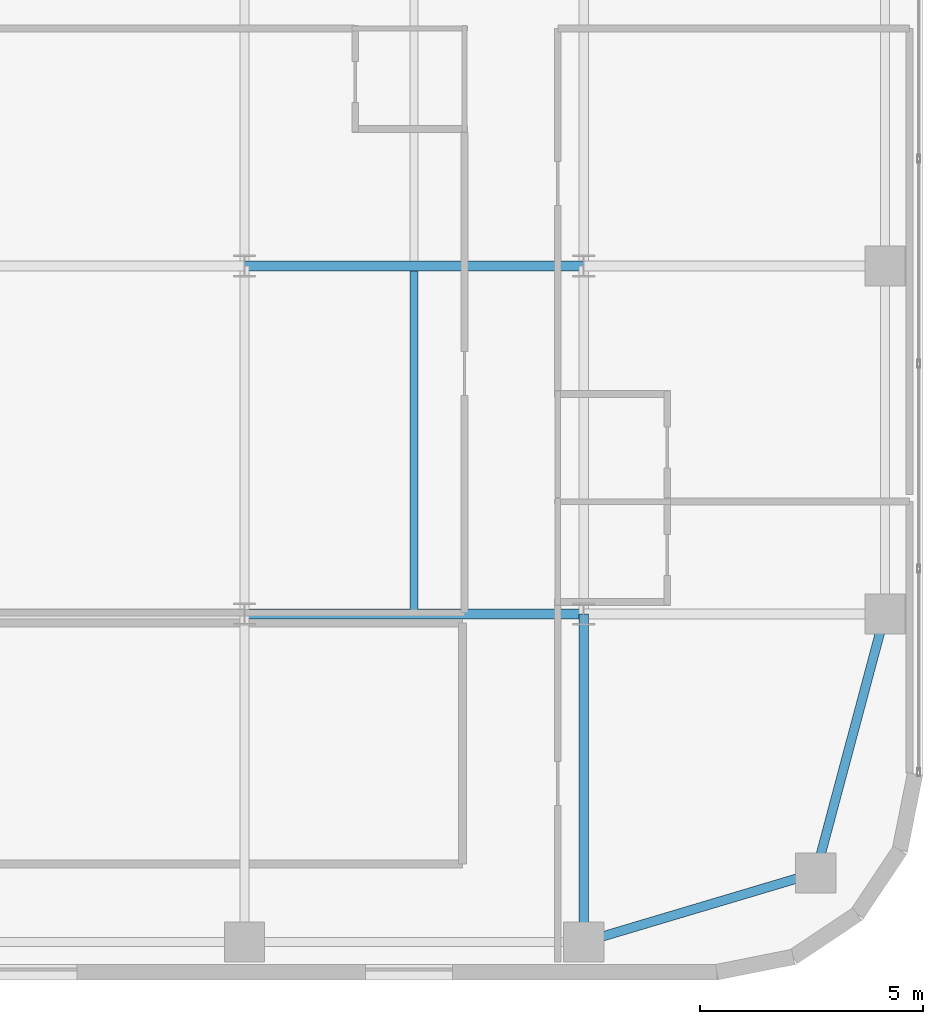
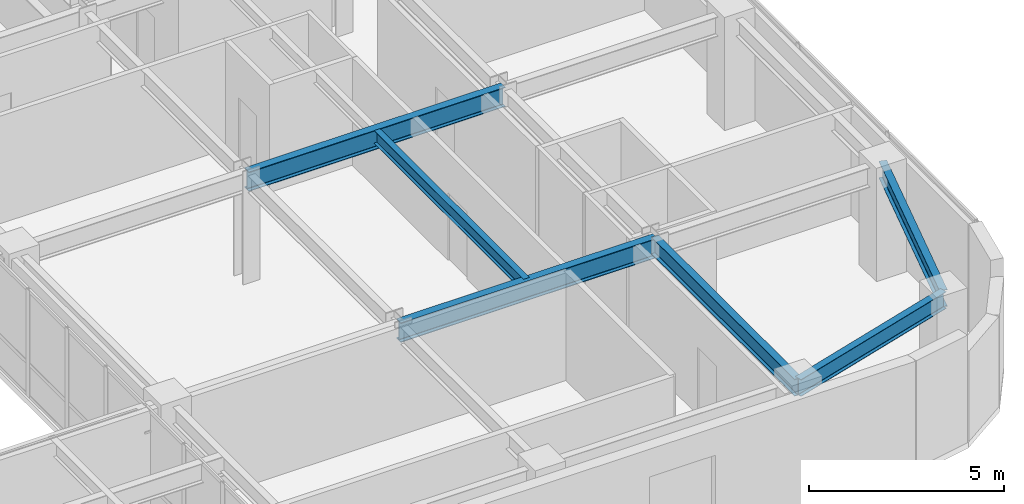
# One storey, part 8 of 25: 6 beams.
"""IFC4 building model written with IfcOpenShell, lengths in metres."""

from ifc_helpers import new_model, si_unit, direction, frame, origin, origin_2d, place, context, subcontext, project, spatial, i_section, extrude, source, transform, mapped, material, material_profile, profile_set, type_object, type_shapes, element, save


model = new_model("IFC4")

# Units and contexts
model_context = context("Model", 3, precision=1e-05, world=origin(), true_north=direction((0.0, 1.0)))
body_context = subcontext(model_context, "Body", "Model", "MODEL_VIEW")
ifc_project = project(units=[si_unit("LENGTHUNIT", "METRE"), si_unit("AREAUNIT", "SQUARE_METRE"), si_unit("VOLUMEUNIT", "CUBIC_METRE"), si_unit("PLANEANGLEUNIT", "RADIAN"), si_unit("MASSUNIT", "GRAM", prefix="KILO")], contexts=[model_context])

# Site, building, storey
site_placement = place(None, origin())
site = spatial("IfcSite", under=ifc_project, at=site_placement, CompositionType="ELEMENT")
building_placement = place(site_placement, origin())
building = spatial("IfcBuilding", under=site, at=building_placement, Name="Tolvann Quenvar Hotel", CompositionType="ELEMENT")
storey_placement = place(building_placement, frame((0.0, 0.0, 122.199951171875)))
storey = spatial("IfcBuildingStorey", under=building, at=storey_placement, Name="L31", CompositionType="ELEMENT", Elevation=122.199951171875)

# Beams
ifc_material = material(Name="Steel Grade 350", Category="steel")
ifc_material_profile_1 = material_profile(ifc_material, i_section(OverallWidth=0.208984375, OverallDepth=0.528076171875, WebThickness=0.009521484375, FlangeThickness=0.01318359375, FilletRadius=0.013916015625, at=origin_2d()), Name="530UB82")
ifc_profile_set_1 = profile_set([ifc_material_profile_1], Name="Steel Grade 350")
beam_type_1 = type_object("IfcBeamType", Name="BM_SPAND_530UB82", PredefinedType="SPANDREL", material=ifc_profile_set_1)
shared_shape_1 = source(origin(), body_context, "Body", "SweptSolid", [
    extrude(i_section(OverallWidth=0.208984375, OverallDepth=0.528076171875, WebThickness=0.009521484375, FlangeThickness=0.01318359375, FilletRadius=0.013916015625, at=origin_2d()), origin(), (0.0, 0.0, 1.0), 5.42626953125),
])
beam_1_placement = place(storey_placement, frame((49.39990234375, 0.85009765625, 3.10595703125), z_axis=(0.958344815522, 0.285613750654, 0.0), x_axis=(-0.285613750654, 0.958344815522, 0.0)))
element("IfcBeam", 1, at=beam_1_placement, inside=storey, type_object=beam_type_1, Name="BM-L31-EW-2-I2-J2", PredefinedType="SPANDREL", context=body_context, shape_type="MappedRepresentation", body=[
    mapped(shared_shape_1, transform((0.0, 0.0, 0.0), x_axis=(1.0, 0.0, 0.0), y_axis=(0.0, 1.0, 0.0), z_axis=(0.0, 0.0, 1.0), scale=1.0)),
])
ifc_material_profile_2 = material_profile(ifc_material, i_section(OverallWidth=0.22900390625, OverallDepth=0.612060546875, WebThickness=0.011962890625, FlangeThickness=0.01953125, FilletRadius=0.013916015625, at=origin_2d()), Name="610UB125")
ifc_profile_set_2 = profile_set([ifc_material_profile_2], Name="Steel Grade 350")
beam_type_2 = type_object("IfcBeamType", Name="BM_GIRD_610UB125", PredefinedType="BEAM", material=ifc_profile_set_2)
shared_shape_2 = source(origin(), body_context, "Body", "SweptSolid", [
    extrude(i_section(OverallWidth=0.22900390625, OverallDepth=0.612060546875, WebThickness=0.011962890625, FlangeThickness=0.01953125, FilletRadius=0.013916015625, at=origin_2d()), origin(), (0.0, 0.0, 1.0), 7.599853515625),
])
type_shapes(beam_type_2, [shared_shape_2])
for number, where, z_axis, x_axis, name in (
    (2, (41.800048828125, 8.199951171875, 3.06396484375), (1.0, 0.0, 0.0), (0.0, 1.0, 0.0), "BM-L31-EW-3-H3-I3"),
    (3, (41.800048828125, 16.0, 3.06396484375), (1.0, 0.0, 0.0), (0.0, 1.0, 0.0), "BM-L31-EW-4-H4-I4"),
):
    element("IfcBeam", number, at=place(storey_placement, frame(where, z_axis=z_axis, x_axis=x_axis)), inside=storey, type_object=beam_type_2, Name=name, PredefinedType="BEAM", context=body_context, shape_type="MappedRepresentation", body=[
        mapped(shared_shape_2, transform((0.0, 0.0, 0.0), x_axis=(1.0, 0.0, 0.0), y_axis=(0.0, 1.0, 0.0), z_axis=(0.0, 0.0, 1.0), scale=1.0)),
    ])
shared_shape_3 = source(origin(), body_context, "Body", "SweptSolid", [
    extrude(i_section(OverallWidth=0.208984375, OverallDepth=0.528076171875, WebThickness=0.009521484375, FlangeThickness=0.01318359375, FilletRadius=0.013916015625, at=origin_2d()), origin(), (0.0, 0.0, 1.0), 6.00341796875),
])
type_shapes(beam_type_1, [shared_shape_1, shared_shape_3])
beam_2_placement = place(storey_placement, frame((54.60009765625, 2.39990234375, 3.10595703125), z_axis=(0.258148586649, 0.966105225745, 0.0), x_axis=(-0.966105225745, 0.258148586649, 0.0)))
element("IfcBeam", 4, at=beam_2_placement, inside=storey, type_object=beam_type_1, Name="BM-L31-NS-J2-J3", PredefinedType="SPANDREL", context=body_context, shape_type="MappedRepresentation", body=[
    mapped(shared_shape_3, transform((0.0, 0.0, 0.0), x_axis=(1.0, 0.0, 0.0), y_axis=(0.0, 1.0, 0.0), z_axis=(0.0, 0.0, 1.0), scale=1.0)),
])
ifc_material_profile_3 = material_profile(ifc_material, i_section(OverallWidth=0.208984375, OverallDepth=0.532958984375, WebThickness=0.01025390625, FlangeThickness=0.015625, FilletRadius=0.013916015625, at=origin_2d()), Name="530UB92")
ifc_profile_set_3 = profile_set([ifc_material_profile_3], Name="Steel Grade 350")
beam_type_3 = type_object("IfcBeamType", Name="BM_GIRD_530UB92", PredefinedType="BEAM", material=ifc_profile_set_3)
shared_shape_4 = source(origin(), body_context, "Body", "SweptSolid", [
    extrude(i_section(OverallWidth=0.208984375, OverallDepth=0.532958984375, WebThickness=0.01025390625, FlangeThickness=0.015625, FilletRadius=0.013916015625, at=origin_2d()), origin(), (0.0, 0.0, 1.0), 7.349853515625),
])
type_shapes(beam_type_3, [shared_shape_4])
beam_3_placement = place(storey_placement, frame((49.39990234375, 0.85009765625, 3.103515625), z_axis=(0.0, 1.0, 0.0), x_axis=(-1.0, 0.0, 0.0)))
element("IfcBeam", 5, at=beam_3_placement, inside=storey, type_object=beam_type_3, Name="BM-L31-NS-I2-I3", PredefinedType="BEAM", context=body_context, shape_type="MappedRepresentation", body=[
    mapped(shared_shape_4, transform((0.0, 0.0, 0.0), x_axis=(1.0, 0.0, 0.0), y_axis=(0.0, 1.0, 0.0), z_axis=(0.0, 0.0, 1.0), scale=1.0)),
])
ifc_material_profile_4 = material_profile(ifc_material, i_section(OverallWidth=0.177978515625, OverallDepth=0.406005859375, WebThickness=0.0078125, FlangeThickness=0.0126953125, FilletRadius=0.011474609375, at=origin_2d()), Name="410UB60")
ifc_profile_set_4 = profile_set([ifc_material_profile_4], Name="Steel Grade 350")
beam_type_4 = type_object("IfcBeamType", Name="BM_JOIST_410UB60", PredefinedType="JOIST", material=ifc_profile_set_4)
shared_shape_5 = source(origin(), body_context, "Body", "SweptSolid", [
    extrude(i_section(OverallWidth=0.177978515625, OverallDepth=0.406005859375, WebThickness=0.0078125, FlangeThickness=0.0126953125, FilletRadius=0.011474609375, at=origin_2d()), origin(), (0.0, 0.0, 1.0), 7.691650390625),
])
type_shapes(beam_type_4, [shared_shape_5])
beam_4_placement = place(storey_placement, frame((45.60009765625, 8.199951171875, 3.1669921875), z_axis=(0.0, 1.0, 0.0), x_axis=(-1.0, 0.0, 0.0)))
element("IfcBeam", 6, at=beam_4_placement, inside=storey, type_object=beam_type_4, Name="BJ-L31-456-82", PredefinedType="JOIST", context=body_context, shape_type="MappedRepresentation", body=[
    mapped(shared_shape_5, transform((0.0, 0.0, 0.0), x_axis=(1.0, 0.0, 0.0), y_axis=(0.0, 1.0, 0.0), z_axis=(0.0, 0.0, 1.0), scale=1.0)),
])

save(model, "model.ifc")
